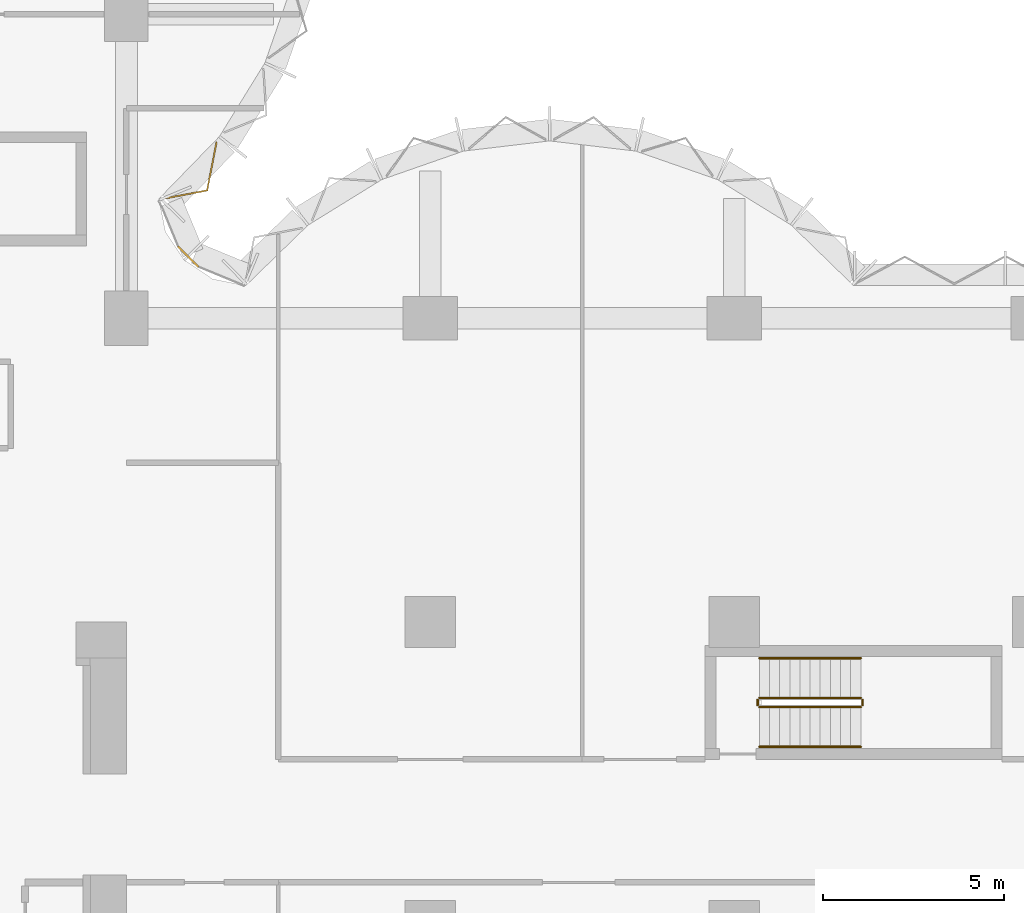
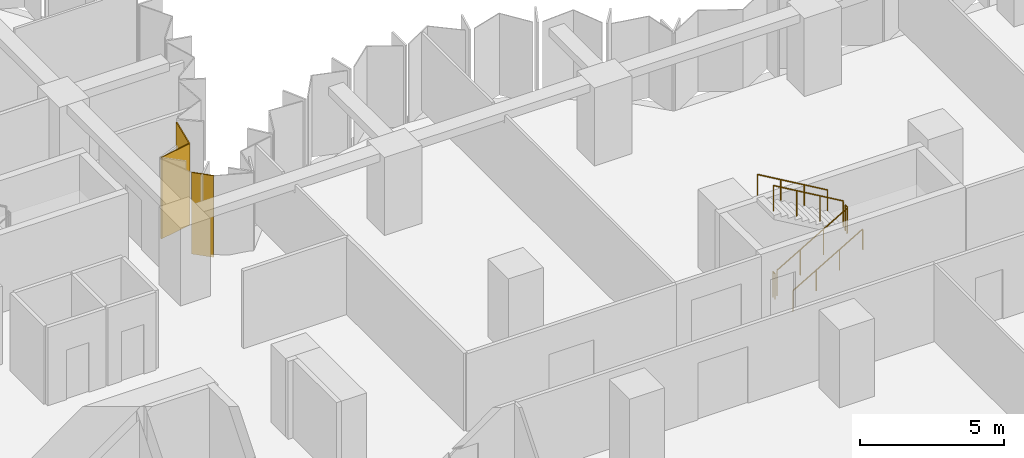
# One storey, part 14 of 15: 6 railings, 2 coverings, 2 elements without a shape of their own.
"""IFC4 building model written with IfcOpenShell, lengths in metres."""

from ifc_helpers import new_model, si_unit, direction, frame, origin, origin_2d, place, context, subcontext, project, spatial, polyline, circle, outline, extrude, material, layer, layer_set, type_object, element, aggregate, save


model = new_model("IFC4")

# Units and contexts
model_context = context("Model", 3, precision=1e-05, world=origin(), true_north=direction((0.0, 1.0)))
body_context = subcontext(model_context, "Body", "Model", "MODEL_VIEW")
ifc_project = project(units=[si_unit("LENGTHUNIT", "METRE"), si_unit("AREAUNIT", "SQUARE_METRE"), si_unit("VOLUMEUNIT", "CUBIC_METRE"), si_unit("PLANEANGLEUNIT", "RADIAN"), si_unit("MASSUNIT", "GRAM", prefix="KILO")], contexts=[model_context])

# Site, building, storey
site_placement = place(None, origin())
site = spatial("IfcSite", under=ifc_project, at=site_placement, CompositionType="ELEMENT")
building_placement = place(site_placement, origin())
building = spatial("IfcBuilding", under=site, at=building_placement, Name="Brevane Broadcast Tower", CompositionType="ELEMENT")
storey_placement = place(building_placement, frame((0.0, 0.0, 83.300048828125)))
storey = spatial("IfcBuildingStorey", under=building, at=storey_placement, Name="L19", CompositionType="ELEMENT", Elevation=83.300048828125)

# Railings
ifc_material_1 = material(Name="Steel S355", Category="steel")
railing_type_1 = type_object("IfcRailingType", Name="Exit stair guard", PredefinedType="GUARDRAIL", material=ifc_material_1)
railing_1_placement = place(storey_placement, frame((42.699951171875, 14.449951171875, 0.16357421875)))
element("IfcRailing", 1, at=railing_1_placement, inside=storey, type_object=railing_type_1, Name="L19 ST-4 stair guard 1", PredefinedType="GUARDRAIL", context=body_context, shape_type="SweptSolid", body=[
    extrude(circle(Radius=0.02392578125, at=origin_2d()), frame((0.0, 0.0, 1.076171875), z_axis=(0.863360870873, 0.0, 0.504586966384), x_axis=(0.0, 1.0, 0.0)), (0.0, 0.0, 1.0), 3.2431640625),
    extrude(circle(Radius=0.02099609375, at=origin_2d()), origin(), (0.0, 0.0, 1.0), 1.052001953125),
    extrude(circle(Radius=0.02099609375, at=origin_2d()), frame((0.933349609375, 0.0, 0.54541015625)), (0.0, 0.0, 1.0), 1.052001953125),
    extrude(circle(Radius=0.02099609375, at=origin_2d()), frame((1.86669921875, 0.0, 1.091064453125)), (0.0, 0.0, 1.0), 1.052001953125),
    extrude(circle(Radius=0.02099609375, at=origin_2d()), frame((2.800048828125, 0.0, 1.636474609375)), (0.0, 0.0, 1.0), 1.052001953125),
])
railing_2_placement = place(storey_placement, frame((45.550048828125, 14.5, 1.800048828125)))
element("IfcRailing", 2, at=railing_2_placement, inside=storey, type_object=railing_type_1, Name="L19 ST-4 stair guard 2", PredefinedType="GUARDRAIL", context=body_context, shape_type="SweptSolid", body=[
    extrude(circle(Radius=0.02392578125, at=origin_2d()), frame((0.0, 0.0, 1.076171875), z_axis=(0.0, 1.0, 0.0), x_axis=(-1.0, 0.0, 0.0)), (0.0, 0.0, 1.0), 0.14990234375),
    extrude(circle(Radius=0.02099609375, at=origin_2d()), origin(), (0.0, 0.0, 1.0), 1.052001953125),
    extrude(circle(Radius=0.02099609375, at=origin_2d()), frame((0.0, 0.14990234375, 0.0)), (0.0, 0.0, 1.0), 1.052001953125),
])
railing_3_placement = place(storey_placement, frame((45.5, 14.699951171875, 1.963623046875)))
element("IfcRailing", 3, at=railing_3_placement, inside=storey, type_object=railing_type_1, Name="L19 ST-4 stair guard 3", PredefinedType="GUARDRAIL", context=body_context, shape_type="SweptSolid", body=[
    extrude(circle(Radius=0.02392578125, at=origin_2d()), frame((0.0, 0.0, 1.076171875), z_axis=(-0.863393664356, 0.0, 0.504530851732), x_axis=(0.0, -1.0, 0.0)), (0.0, 0.0, 1.0), 3.2431640625),
    extrude(circle(Radius=0.02099609375, at=origin_2d()), origin(), (0.0, 0.0, 1.0), 1.052001953125),
    extrude(circle(Radius=0.02099609375, at=origin_2d()), frame((-0.933349609375, 0.0, 0.54541015625)), (0.0, 0.0, 1.0), 1.052001953125),
    extrude(circle(Radius=0.02099609375, at=origin_2d()), frame((-1.86669921875, 0.0, 1.0908203125)), (0.0, 0.0, 1.0), 1.052001953125),
    extrude(circle(Radius=0.02099609375, at=origin_2d()), frame((-2.800048828125, 0.0, 1.63623046875)), (0.0, 0.0, 1.0), 1.052001953125),
])
railing_4_placement = place(storey_placement, frame((42.64990234375, 14.5, 0.0)))
element("IfcRailing", 4, at=railing_4_placement, inside=storey, type_object=railing_type_1, Name="L19 ST-4 stair guard 4", PredefinedType="GUARDRAIL", context=body_context, shape_type="SweptSolid", body=[
    extrude(circle(Radius=0.02392578125, at=origin_2d()), frame((0.0, 0.0, 1.076171875), z_axis=(0.0, 1.0, 0.0), x_axis=(-1.0, 0.0, 0.0)), (0.0, 0.0, 1.0), 0.14990234375),
    extrude(circle(Radius=0.02099609375, at=origin_2d()), origin(), (0.0, 0.0, 1.0), 1.052001953125),
    extrude(circle(Radius=0.02099609375, at=origin_2d()), frame((0.0, 0.14990234375, 0.0)), (0.0, 0.0, 1.0), 1.052001953125),
])
railing_type_2 = type_object("IfcRailingType", Name="Exit stair handrail", PredefinedType="HANDRAIL", material=ifc_material_1)
railing_5_placement = place(storey_placement, frame((42.699951171875, 13.35009765625, 0.16357421875)))
element("IfcRailing", 5, at=railing_5_placement, inside=storey, type_object=railing_type_2, Name="L19 ST-4 stair handrail 1", PredefinedType="HANDRAIL", context=body_context, shape_type="SweptSolid", body=[
    extrude(circle(Radius=0.02392578125, at=origin_2d()), frame((0.0, 0.0, 0.8759765625), z_axis=(0.863360870873, 0.0, 0.504586966384), x_axis=(0.0, 1.0, 0.0)), (0.0, 0.0, 1.0), 3.2431640625),
    extrude(circle(Radius=0.02099609375, at=origin_2d()), origin(), (0.0, 0.0, 1.0), 0.851806640625),
    extrude(circle(Radius=0.02099609375, at=origin_2d()), frame((0.933349609375, 0.0, 0.54541015625)), (0.0, 0.0, 1.0), 0.851806640625),
    extrude(circle(Radius=0.02099609375, at=origin_2d()), frame((1.86669921875, 0.0, 1.091064453125)), (0.0, 0.0, 1.0), 0.851806640625),
    extrude(circle(Radius=0.02099609375, at=origin_2d()), frame((2.800048828125, 0.0, 1.636474609375)), (0.0, 0.0, 1.0), 0.851806640625),
])
railing_6_placement = place(storey_placement, frame((45.5, 15.800048828125, 1.963623046875)))
element("IfcRailing", 6, at=railing_6_placement, inside=storey, type_object=railing_type_2, Name="L19 ST-4 stair handrail 2", PredefinedType="HANDRAIL", context=body_context, shape_type="SweptSolid", body=[
    extrude(circle(Radius=0.02392578125, at=origin_2d()), frame((0.0, 0.0, 0.8759765625), z_axis=(-0.863393664356, 0.0, 0.504530851732), x_axis=(0.0, -1.0, 0.0)), (0.0, 0.0, 1.0), 3.2431640625),
    extrude(circle(Radius=0.02099609375, at=origin_2d()), origin(), (0.0, 0.0, 1.0), 0.851806640625),
    extrude(circle(Radius=0.02099609375, at=origin_2d()), frame((-0.933349609375, 0.0, 0.54541015625)), (0.0, 0.0, 1.0), 0.851806640625),
    extrude(circle(Radius=0.02099609375, at=origin_2d()), frame((-1.86669921875, 0.0, 1.0908203125)), (0.0, 0.0, 1.0), 0.851806640625),
    extrude(circle(Radius=0.02099609375, at=origin_2d()), frame((-2.800048828125, 0.0, 1.63623046875)), (0.0, 0.0, 1.0), 0.851806640625),
])

# Curtain wall, covering
ifc_material_2 = material(Name="Aluminium 6063-T6 bronze anodised", Category="aluminium")
curtain_wall_type = type_object("IfcCurtainWallType", Name="CW-1 curtain wall", PredefinedType="NOTDEFINED", material=ifc_material_2)
curtain_wall_1_placement = place(storey_placement, origin())
curtain_wall_1 = element("IfcCurtainWall", 7, at=curtain_wall_1_placement, inside=storey, type_object=curtain_wall_type, Name="CW-1 typical tilted unit L19 north bow", PredefinedType="NOTDEFINED")
ifc_material_3 = material(Name="Back-painted bronze glass shadow-box", Category="glass")
ifc_layer = layer(ifc_material_3, 0.0400390625)
ifc_layer_set = layer_set([ifc_layer], Name="Shadow-box panel 40")
covering_type = type_object("IfcCoveringType", Name="Shadow-box panel 40", PredefinedType="CLADDING", material=ifc_layer_set)
covering_1_placement = place(storey_placement, frame((0.0, 0.0, -0.150146484375)))
covering_1 = element("IfcCovering", 8, at=covering_1_placement, type_object=covering_type, Name="Shadow-box panel", PredefinedType="CLADDING", context=body_context, shape_type="SweptSolid", body=[
    extrude(outline(polyline([(26.14404296875, 28.506103515625), (26.17919921875, 28.471923828125), (27.447265625, 28.7138671875), (27.71142578125, 30.0615234375), (27.67626953125, 30.089111328125), (27.4130859375, 28.748046875), (26.14404296875, 28.506103515625)])), origin(), (0.0, 0.0, 1.0), 3.4501953125),
])
aggregate(curtain_wall_1, [covering_1])

curtain_wall_2_placement = place(storey_placement, origin())
curtain_wall_2 = element("IfcCurtainWall", 9, at=curtain_wall_2_placement, inside=storey, type_object=curtain_wall_type, Name="CW-1 typical tilted unit L19 inner corner", PredefinedType="NOTDEFINED")
covering_2_placement = place(storey_placement, frame((0.0, 0.0, -0.150146484375)))
covering_2 = element("IfcCovering", 10, at=covering_2_placement, type_object=covering_type, Name="Closure panel", PredefinedType="CLADDING", context=body_context, shape_type="SweptSolid", body=[
    extrude(outline(polyline([(27.17138671875, 26.60498046875), (27.2021484375, 26.635498046875), (26.635498046875, 27.2021484375), (26.60498046875, 27.17138671875), (27.17138671875, 26.60498046875)])), origin(), (0.0, 0.0, 1.0), 3.4501953125),
])
aggregate(curtain_wall_2, [covering_2])

save(model, "model.ifc")
